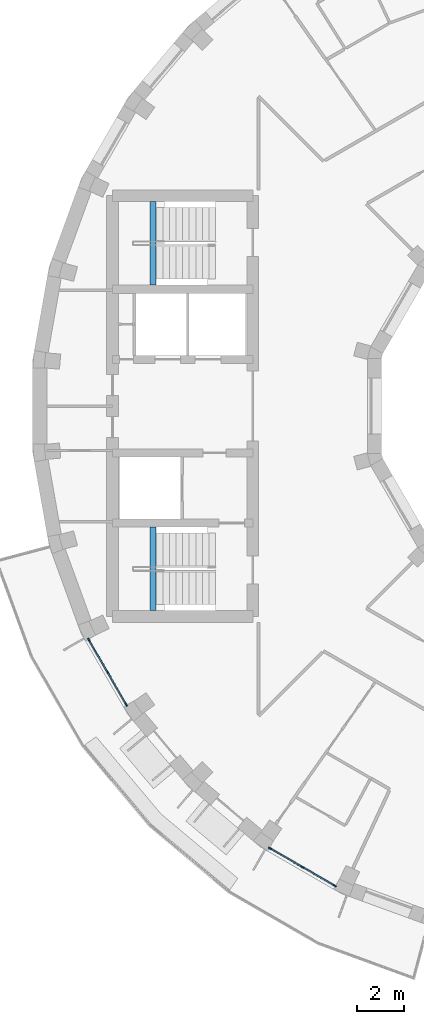
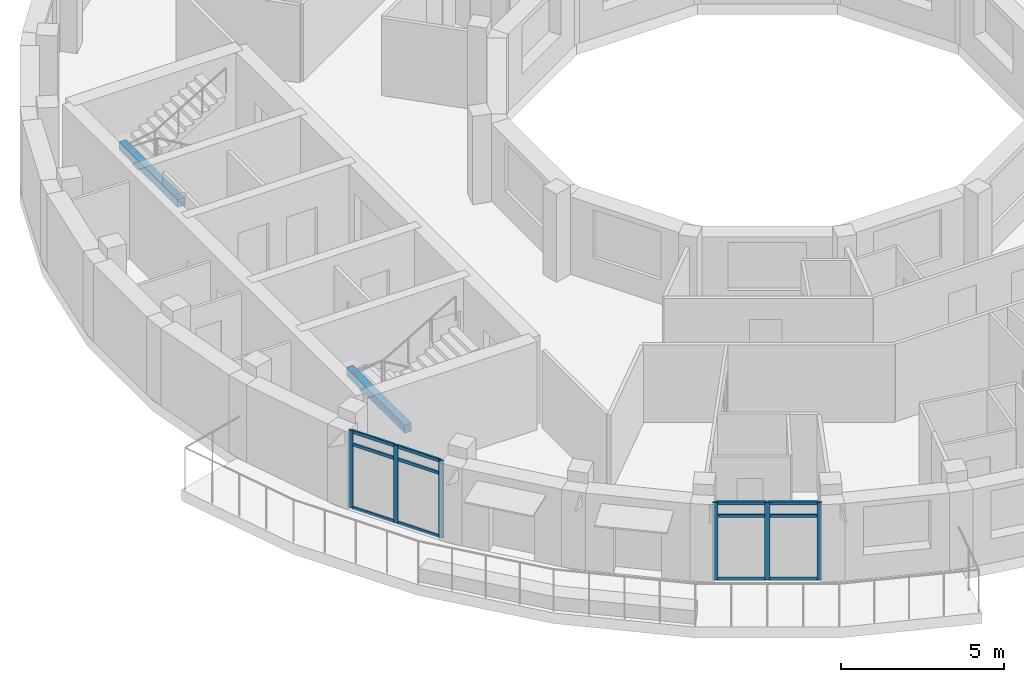
# One storey, part 2 of 12: 18 members, 2 beams, 2 elements without a shape of their own.
"""IFC4 building model written with IfcOpenShell, lengths in metres."""

from ifc_helpers import new_model, si_unit, direction, frame, origin, origin_2d, place, context, subcontext, project, spatial, rectangle, extrude, material, layer, layer_set, material_profile, profile_set, type_object, element, aggregate, save


model = new_model("IFC4")

# Units and contexts
model_context = context("Model", 3, precision=1e-05, world=origin(), true_north=direction((0.0, 1.0)))
body_context = subcontext(model_context, "Body", "Model", "MODEL_VIEW")
ifc_project = project(units=[si_unit("LENGTHUNIT", "METRE"), si_unit("AREAUNIT", "SQUARE_METRE"), si_unit("VOLUMEUNIT", "CUBIC_METRE"), si_unit("PLANEANGLEUNIT", "RADIAN"), si_unit("MASSUNIT", "GRAM", prefix="KILO")], contexts=[model_context])

# Site, building, storey
site_placement = place(None, origin())
site = spatial("IfcSite", under=ifc_project, at=site_placement, CompositionType="ELEMENT")
building_placement = place(site_placement, origin())
building = spatial("IfcBuilding", under=site, at=building_placement, Name="Saqina Gate Tower", CompositionType="ELEMENT")
storey_placement = place(building_placement, frame((0.0, 0.0, 259.39990234375)))
storey = spatial("IfcBuildingStorey", under=building, at=storey_placement, Name="L74", CompositionType="ELEMENT", Elevation=259.39990234375)

# Curtain wall, members
ifc_material_1 = material(Name="Aluminium glazing", Category="aluminium")
ifc_layer = layer(ifc_material_1, 0.159912109375)
ifc_layer_set = layer_set([ifc_layer], Name="CWT-4")
curtain_wall_type = type_object("IfcCurtainWallType", Name="CWT-4", PredefinedType="NOTDEFINED", material=ifc_layer_set)
curtain_wall_1_placement = place(storey_placement, origin())
curtain_wall_1 = element("IfcCurtainWall", 1, at=curtain_wall_1_placement, inside=storey, type_object=curtain_wall_type, Name="Terrace lounge glazing facet 21", PredefinedType="NOTDEFINED")
ifc_material_2 = material(Name="Aluminium", Category="aluminium")
ifc_material_profile_1 = material_profile(ifc_material_2, rectangle(XDim=0.06005859375, YDim=0.159912109375, at=origin_2d()), Name="Aluminium 60x160")
ifc_profile_set_1 = profile_set([ifc_material_profile_1], Name="Aluminium")
member_type_1 = type_object("IfcMemberType", Name="CWT-4M", PredefinedType="MULLION", material=ifc_profile_set_1)
member_1_placement = place(storey_placement, frame((-20.5107421875, -9.999267578125, 0.0), z_axis=(0.0, 0.0, 1.0), x_axis=(0.8660355365, 0.499982449212, 0.0)))
member_1 = element("IfcMember", 2, at=member_1_placement, type_object=member_type_1, Name="CW4-21 mullion 1", PredefinedType="MULLION", context=body_context, shape_type="SweptSolid", body=[
    extrude(rectangle(XDim=0.06005859375, YDim=0.159912109375, at=origin_2d()), origin(), (0.0, 0.0, 1.0), 2.900146484375),
])
member_2_placement = place(storey_placement, frame((-19.712890625, -11.38134765625, 0.0), z_axis=(0.0, 0.0, 1.0), x_axis=(0.8660355365, 0.499982449212, 0.0)))
member_2 = element("IfcMember", 3, at=member_2_placement, type_object=member_type_1, Name="CW4-21 mullion 2", PredefinedType="MULLION", context=body_context, shape_type="SweptSolid", body=[
    extrude(rectangle(XDim=0.06005859375, YDim=0.159912109375, at=origin_2d()), origin(), (0.0, 0.0, 1.0), 2.900146484375),
])
member_3_placement = place(storey_placement, frame((-18.9150390625, -12.763427734375, 0.0), z_axis=(0.0, 0.0, 1.0), x_axis=(0.8660355365, 0.499982449212, 0.0)))
member_3 = element("IfcMember", 4, at=member_3_placement, type_object=member_type_1, Name="CW4-21 mullion 3", PredefinedType="MULLION", context=body_context, shape_type="SweptSolid", body=[
    extrude(rectangle(XDim=0.06005859375, YDim=0.159912109375, at=origin_2d()), origin(), (0.0, 0.0, 1.0), 2.900146484375),
])

curtain_wall_2_placement = place(storey_placement, origin())
curtain_wall_2 = element("IfcCurtainWall", 5, at=curtain_wall_2_placement, inside=storey, type_object=curtain_wall_type, Name="Terrace lounge glazing facet 24", PredefinedType="NOTDEFINED")
member_4_placement = place(storey_placement, frame((-12.763427734375, -18.9150390625, 0.0), z_axis=(0.0, 0.0, 1.0), x_axis=(0.499982449212, 0.8660355365, 0.0)))
member_4 = element("IfcMember", 6, at=member_4_placement, type_object=member_type_1, Name="CW4-24 mullion 1", PredefinedType="MULLION", context=body_context, shape_type="SweptSolid", body=[
    extrude(rectangle(XDim=0.06005859375, YDim=0.159912109375, at=origin_2d()), origin(), (0.0, 0.0, 1.0), 2.900146484375),
])
member_5_placement = place(storey_placement, frame((-11.38134765625, -19.712890625, 0.0), z_axis=(0.0, 0.0, 1.0), x_axis=(0.499982449212, 0.8660355365, 0.0)))
member_5 = element("IfcMember", 7, at=member_5_placement, type_object=member_type_1, Name="CW4-24 mullion 2", PredefinedType="MULLION", context=body_context, shape_type="SweptSolid", body=[
    extrude(rectangle(XDim=0.06005859375, YDim=0.159912109375, at=origin_2d()), origin(), (0.0, 0.0, 1.0), 2.900146484375),
])
member_6_placement = place(storey_placement, frame((-9.999267578125, -20.5107421875, 0.0), z_axis=(0.0, 0.0, 1.0), x_axis=(0.499982449212, 0.8660355365, 0.0)))
member_6 = element("IfcMember", 8, at=member_6_placement, type_object=member_type_1, Name="CW4-24 mullion 3", PredefinedType="MULLION", context=body_context, shape_type="SweptSolid", body=[
    extrude(rectangle(XDim=0.06005859375, YDim=0.159912109375, at=origin_2d()), origin(), (0.0, 0.0, 1.0), 2.900146484375),
])

# Member
ifc_material_3 = material(Name="Aluminium", Category="aluminium")
ifc_material_profile_2 = material_profile(ifc_material_3, rectangle(XDim=0.06005859375, YDim=0.1201171875, at=origin_2d()), Name="Aluminium 60x120")
ifc_profile_set_2 = profile_set([ifc_material_profile_2], Name="Aluminium")
member_type_2 = type_object("IfcMemberType", Name="CWT-4T", PredefinedType="USERDEFINED", material=ifc_profile_set_2)
member_7_placement = place(storey_placement, frame((-20.495849609375, -10.025146484375, 0.030029296875), z_axis=(0.500071019227, -0.865984396932, 0.0), x_axis=(0.865984396932, 0.500071019227, 0.0)))
member_7 = element("IfcMember", 9, at=member_7_placement, type_object=member_type_2, Name="CW4-21 transom 1.1", ObjectType="TRANSOM", PredefinedType="USERDEFINED", context=body_context, shape_type="SweptSolid", body=[
    extrude(rectangle(XDim=0.06005859375, YDim=0.1201171875, at=origin_2d()), origin(), (0.0, 0.0, 1.0), 1.535888671875),
])

member_8_placement = place(storey_placement, frame((-20.495849609375, -10.025146484375, 2.400146484375), z_axis=(0.500071019227, -0.865984396932, 0.0), x_axis=(0.865984396932, 0.500071019227, 0.0)))
member_8 = element("IfcMember", 10, at=member_8_placement, type_object=member_type_2, Name="CW4-21 transom 1.2", ObjectType="TRANSOM", PredefinedType="USERDEFINED", context=body_context, shape_type="SweptSolid", body=[
    extrude(rectangle(XDim=0.06005859375, YDim=0.1201171875, at=origin_2d()), origin(), (0.0, 0.0, 1.0), 1.535888671875),
])

member_9_placement = place(storey_placement, frame((-20.495849609375, -10.025146484375, 2.8701171875), z_axis=(0.500071019227, -0.865984396932, 0.0), x_axis=(0.865984396932, 0.500071019227, 0.0)))
member_9 = element("IfcMember", 11, at=member_9_placement, type_object=member_type_2, Name="CW4-21 transom 1.3", ObjectType="TRANSOM", PredefinedType="USERDEFINED", context=body_context, shape_type="SweptSolid", body=[
    extrude(rectangle(XDim=0.06005859375, YDim=0.1201171875, at=origin_2d()), origin(), (0.0, 0.0, 1.0), 1.535888671875),
])

member_10_placement = place(storey_placement, frame((-19.697998046875, -11.4072265625, 0.030029296875), z_axis=(0.500071019227, -0.865984396932, 0.0), x_axis=(0.865984396932, 0.500071019227, 0.0)))
member_10 = element("IfcMember", 12, at=member_10_placement, type_object=member_type_2, Name="CW4-21 transom 2.1", ObjectType="TRANSOM", PredefinedType="USERDEFINED", context=body_context, shape_type="SweptSolid", body=[
    extrude(rectangle(XDim=0.06005859375, YDim=0.1201171875, at=origin_2d()), origin(), (0.0, 0.0, 1.0), 1.535888671875),
])

member_11_placement = place(storey_placement, frame((-19.697998046875, -11.4072265625, 2.400146484375), z_axis=(0.500071019227, -0.865984396932, 0.0), x_axis=(0.865984396932, 0.500071019227, 0.0)))
member_11 = element("IfcMember", 13, at=member_11_placement, type_object=member_type_2, Name="CW4-21 transom 2.2", ObjectType="TRANSOM", PredefinedType="USERDEFINED", context=body_context, shape_type="SweptSolid", body=[
    extrude(rectangle(XDim=0.06005859375, YDim=0.1201171875, at=origin_2d()), origin(), (0.0, 0.0, 1.0), 1.535888671875),
])

member_12_placement = place(storey_placement, frame((-19.697998046875, -11.4072265625, 2.8701171875), z_axis=(0.500071019227, -0.865984396932, 0.0), x_axis=(0.865984396932, 0.500071019227, 0.0)))
member_12 = element("IfcMember", 14, at=member_12_placement, type_object=member_type_2, Name="CW4-21 transom 2.3", ObjectType="TRANSOM", PredefinedType="USERDEFINED", context=body_context, shape_type="SweptSolid", body=[
    extrude(rectangle(XDim=0.06005859375, YDim=0.1201171875, at=origin_2d()), origin(), (0.0, 0.0, 1.0), 1.535888671875),
])

aggregate(curtain_wall_1, [member_1, member_2, member_3, member_7, member_8, member_9, member_10, member_11, member_12])

member_13_placement = place(storey_placement, frame((-12.7373046875, -18.929931640625, 0.030029296875), z_axis=(0.865984396932, -0.500071019227, 0.0), x_axis=(0.500071019227, 0.865984396932, 0.0)))
member_13 = element("IfcMember", 15, at=member_13_placement, type_object=member_type_2, Name="CW4-24 transom 1.1", ObjectType="TRANSOM", PredefinedType="USERDEFINED", context=body_context, shape_type="SweptSolid", body=[
    extrude(rectangle(XDim=0.06005859375, YDim=0.1201171875, at=origin_2d()), origin(), (0.0, 0.0, 1.0), 1.535888671875),
])

member_14_placement = place(storey_placement, frame((-12.7373046875, -18.929931640625, 2.400146484375), z_axis=(0.865984396932, -0.500071019227, 0.0), x_axis=(0.500071019227, 0.865984396932, 0.0)))
member_14 = element("IfcMember", 16, at=member_14_placement, type_object=member_type_2, Name="CW4-24 transom 1.2", ObjectType="TRANSOM", PredefinedType="USERDEFINED", context=body_context, shape_type="SweptSolid", body=[
    extrude(rectangle(XDim=0.06005859375, YDim=0.1201171875, at=origin_2d()), origin(), (0.0, 0.0, 1.0), 1.535888671875),
])

member_15_placement = place(storey_placement, frame((-12.7373046875, -18.929931640625, 2.8701171875), z_axis=(0.865984396932, -0.500071019227, 0.0), x_axis=(0.500071019227, 0.865984396932, 0.0)))
member_15 = element("IfcMember", 17, at=member_15_placement, type_object=member_type_2, Name="CW4-24 transom 1.3", ObjectType="TRANSOM", PredefinedType="USERDEFINED", context=body_context, shape_type="SweptSolid", body=[
    extrude(rectangle(XDim=0.06005859375, YDim=0.1201171875, at=origin_2d()), origin(), (0.0, 0.0, 1.0), 1.535888671875),
])

member_16_placement = place(storey_placement, frame((-11.355224609375, -19.727783203125, 0.030029296875), z_axis=(0.865984396932, -0.500071019227, 0.0), x_axis=(0.500071019227, 0.865984396932, 0.0)))
member_16 = element("IfcMember", 18, at=member_16_placement, type_object=member_type_2, Name="CW4-24 transom 2.1", ObjectType="TRANSOM", PredefinedType="USERDEFINED", context=body_context, shape_type="SweptSolid", body=[
    extrude(rectangle(XDim=0.06005859375, YDim=0.1201171875, at=origin_2d()), origin(), (0.0, 0.0, 1.0), 1.535888671875),
])

member_17_placement = place(storey_placement, frame((-11.355224609375, -19.727783203125, 2.400146484375), z_axis=(0.865984396932, -0.500071019227, 0.0), x_axis=(0.500071019227, 0.865984396932, 0.0)))
member_17 = element("IfcMember", 19, at=member_17_placement, type_object=member_type_2, Name="CW4-24 transom 2.2", ObjectType="TRANSOM", PredefinedType="USERDEFINED", context=body_context, shape_type="SweptSolid", body=[
    extrude(rectangle(XDim=0.06005859375, YDim=0.1201171875, at=origin_2d()), origin(), (0.0, 0.0, 1.0), 1.535888671875),
])

member_18_placement = place(storey_placement, frame((-11.355224609375, -19.727783203125, 2.8701171875), z_axis=(0.865984396932, -0.500071019227, 0.0), x_axis=(0.500071019227, 0.865984396932, 0.0)))
member_18 = element("IfcMember", 20, at=member_18_placement, type_object=member_type_2, Name="CW4-24 transom 2.3", ObjectType="TRANSOM", PredefinedType="USERDEFINED", context=body_context, shape_type="SweptSolid", body=[
    extrude(rectangle(XDim=0.06005859375, YDim=0.1201171875, at=origin_2d()), origin(), (0.0, 0.0, 1.0), 1.535888671875),
])

aggregate(curtain_wall_2, [member_4, member_5, member_6, member_13, member_14, member_15, member_16, member_17, member_18])

# Beams
ifc_material_4 = material(Name="Concrete C40/50", Category="concrete")
ifc_material_profile_3 = material_profile(ifc_material_4, rectangle(XDim=0.25, YDim=0.300048828125, at=origin_2d()), Name="STAIR LANDING BEAM")
ifc_profile_set_3 = profile_set([ifc_material_profile_3], Name="Concrete C40/50")
beam_type = type_object("IfcBeamType", Name="STAIR LANDING BEAM", PredefinedType="BEAM", material=ifc_profile_set_3)
for number, where, z_axis, x_axis, name in (
    (21, (-17.77001953125, 5.175048828125, 1.25), (0.0, 1.0, 0.0), (-1.0, 0.0, 0.0), "EXIT STAIR 3 LANDING BEAM"),
    (22, (-17.77001953125, -8.75, 1.25), (0.0, 1.0, 0.0), (-1.0, 0.0, 0.0), "EXIT STAIR 4 LANDING BEAM"),
):
    element("IfcBeam", number, at=place(storey_placement, frame(where, z_axis=z_axis, x_axis=x_axis)), inside=storey, type_object=beam_type, Name=name, PredefinedType="BEAM", context=body_context, shape_type="SweptSolid", body=[
        extrude(rectangle(XDim=0.25, YDim=0.300048828125, at=origin_2d()), origin(), (0.0, 0.0, 1.0), 3.574951171875),
    ])

save(model, "model.ifc")
